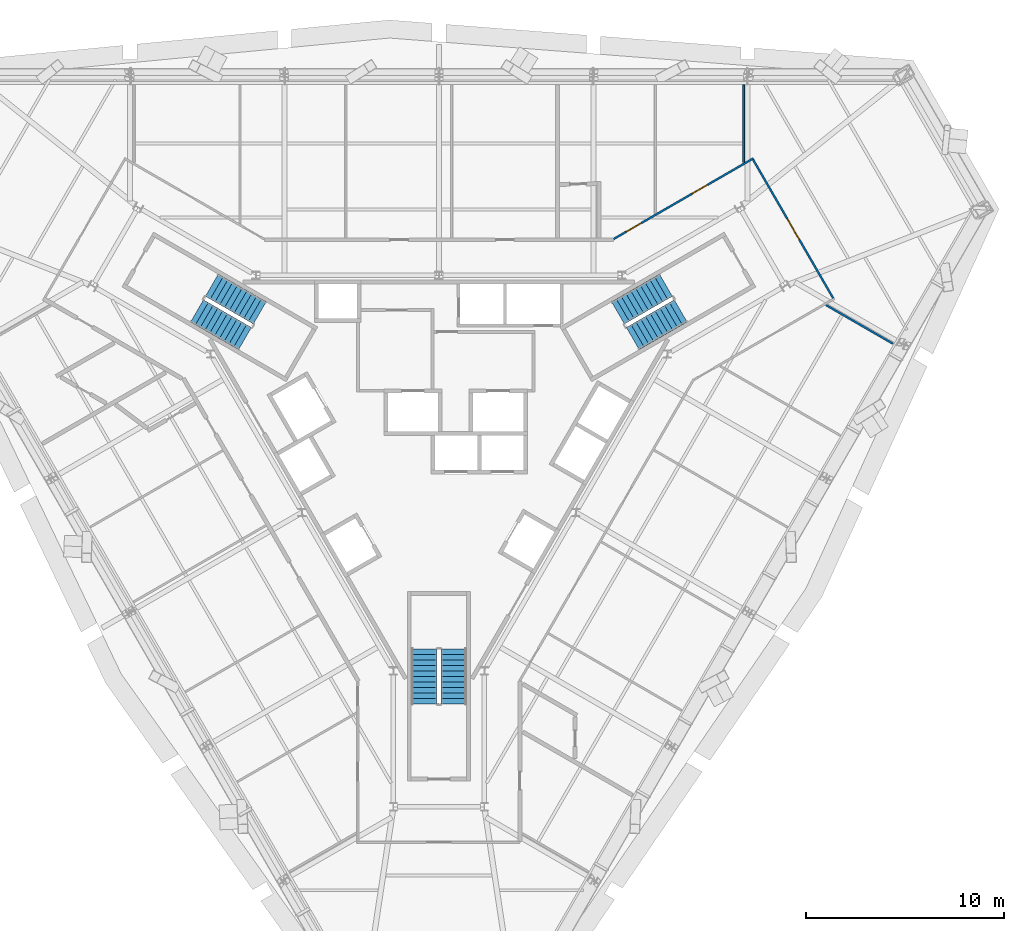
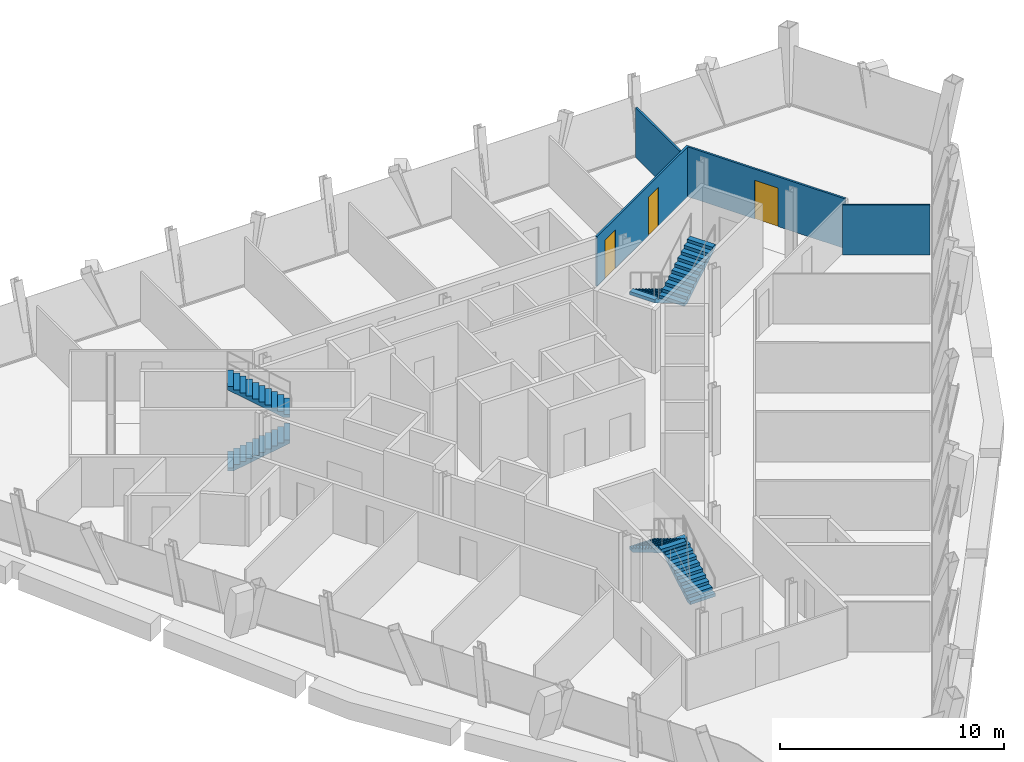
# One storey, part 10 of 12: 6 stair flights, 4 walls, 3 doors, 3 openings, 3 elements without a shape of their own.
"""IFC4 building model written with IfcOpenShell, lengths in metres."""

from ifc_helpers import new_model, si_unit, direction, frame, frame_2d, origin, place, context, subcontext, project, spatial, polyline, rectangle, outline, extrude, material, layer, layer_set, type_object, element, fill, aggregate, save


model = new_model("IFC4")

# Units and contexts
model_context = context("Model", 3, precision=1e-05, world=origin(), true_north=direction((0.0, 1.0)))
body_context = subcontext(model_context, "Body", "Model", "MODEL_VIEW")
ifc_project = project(units=[si_unit("LENGTHUNIT", "METRE"), si_unit("AREAUNIT", "SQUARE_METRE"), si_unit("VOLUMEUNIT", "CUBIC_METRE"), si_unit("PLANEANGLEUNIT", "RADIAN"), si_unit("MASSUNIT", "GRAM", prefix="KILO")], contexts=[model_context])

# Site, building, storey
site_placement = place(None, origin())
site = spatial("IfcSite", under=ifc_project, at=site_placement, CompositionType="ELEMENT")
building_placement = place(site_placement, origin())
building = spatial("IfcBuilding", under=site, at=building_placement, Name="Verrane Prism Tower", CompositionType="ELEMENT")
storey_placement = place(building_placement, frame((0.0, 0.0, 185.800048828125)))
storey = spatial("IfcBuildingStorey", under=building, at=storey_placement, Name="L46", CompositionType="ELEMENT", Elevation=185.800048828125)

# Wall, openings, doors
ifc_material_1 = material(Name="Gypsum board partition", Category="other")
ifc_layer = layer(ifc_material_1, 0.10009765625)
ifc_layer_set = layer_set([ifc_layer], Name="PW-100 room partition")
wall_type = type_object("IfcWallType", Name="PW-100 room partition", PredefinedType="PARTITIONING", material=ifc_layer_set)
wall_1_placement = place(storey_placement, frame((8.8515625, 9.842529296875, 0.0), z_axis=(0.0, 0.0, 1.0), x_axis=(0.866088973199, 0.499889878377, 0.0)))
wall_1 = element("IfcWall", 1, at=wall_1_placement, inside=storey, type_object=wall_type, Name="Room partition 034", PredefinedType="PARTITIONING", context=body_context, shape_type="SweptSolid", body=[
    extrude(rectangle(XDim=8.162841796875, YDim=0.10009765625, at=frame_2d((4.08154296875, 0.0))), origin(), (0.0, 0.0, 1.0), 2.712890625),
])
opening_1_placement = place(wall_1_placement, frame((4.5830078125, 0.0, 0.0)))
opening_1 = element("IfcOpeningElement", 2, at=opening_1_placement, cuts=wall_1, Name="Opening D44009", PredefinedType="OPENING", context=body_context, shape_type="SweptSolid", body=[
    extrude(rectangle(XDim=0.89990234375, YDim=2.10009765625, at=frame_2d((0.449951171875, 1.050048828125))), frame((0.0, 0.06005859375, 0.0), z_axis=(0.0, -1.0, 0.0), x_axis=(1.0, 0.0, 0.0)), (0.0, 0.0, 1.0), 0.1201171875),
])
opening_2_placement = place(wall_1_placement, frame((0.715087890625, 0.0, 0.0)))
opening_2 = element("IfcOpeningElement", 3, at=opening_2_placement, cuts=wall_1, Name="Opening D44010", PredefinedType="OPENING", context=body_context, shape_type="SweptSolid", body=[
    extrude(rectangle(XDim=0.89990234375, YDim=2.10009765625, at=frame_2d((0.449951171875, 1.050048828125))), frame((0.0, 0.06005859375, 0.0), z_axis=(0.0, -1.0, 0.0), x_axis=(1.0, 0.0, 0.0)), (0.0, 0.0, 1.0), 0.1201171875),
])
ifc_material_2 = material(Name="Timber veneered door leaf", Category="wood")
door_type_1 = type_object("IfcDoorType", Name="DR-900x2100 single leaf inner", OperationType="NOTDEFINED", PredefinedType="DOOR", material=ifc_material_2)
door_1_placement = place(opening_2_placement, origin())
door_1 = element("IfcDoor", 4, at=door_1_placement, inside=storey, type_object=door_type_1, Name="Bedroom door", OperationType="SINGLE_SWING_RIGHT", OverallHeight=2.10009765625, OverallWidth=0.89990234375, PredefinedType="DOOR", context=body_context, shape_type="SweptSolid", body=[
    extrude(rectangle(XDim=0.89990234375, YDim=2.10009765625, at=frame_2d((0.449951171875, 1.050048828125))), frame((0.0, 0.02490234375, 0.0), z_axis=(0.0, -1.0, 0.0), x_axis=(1.0, 0.0, 0.0)), (0.0, 0.0, 1.0), 0.050048828125),
])
fill(opening_2, door_1)
ifc_material_3 = material(Name="Timber veneered door leaf", Category="wood")
door_type_2 = type_object("IfcDoorType", Name="DR-900x2100 single leaf unit", OperationType="NOTDEFINED", PredefinedType="DOOR", material=ifc_material_3)
door_2_placement = place(opening_1_placement, origin())
door_2 = element("IfcDoor", 5, at=door_2_placement, inside=storey, type_object=door_type_2, Name="Kitchen door", OperationType="SINGLE_SWING_LEFT", OverallHeight=2.10009765625, OverallWidth=0.89990234375, PredefinedType="DOOR", context=body_context, shape_type="SweptSolid", body=[
    extrude(rectangle(XDim=0.89990234375, YDim=2.10009765625, at=frame_2d((0.449951171875, 1.050048828125))), frame((0.0, 0.02490234375, 0.0), z_axis=(0.0, -1.0, 0.0), x_axis=(1.0, 0.0, 0.0)), (0.0, 0.0, 1.0), 0.050048828125),
])
fill(opening_1, door_2)

# Wall
wall_2_placement = place(storey_placement, frame((15.422119140625, 13.7216796875, 0.0), z_axis=(0.0, 0.0, 1.0), x_axis=(0.0, 1.0, 0.0)))
element("IfcWall", 6, at=wall_2_placement, inside=storey, type_object=wall_type, Name="Room partition 039", PredefinedType="PARTITIONING", context=body_context, shape_type="SweptSolid", body=[
    extrude(rectangle(XDim=3.913330078125, YDim=0.10009765625, at=frame_2d((1.95654296875, 0.0))), origin(), (0.0, 0.0, 1.0), 2.712890625),
])

# Wall, opening, door
wall_3_placement = place(storey_placement, frame((15.903076171875, 13.854736328125, 0.0), z_axis=(0.0, 0.0, 1.0), x_axis=(0.500415732313, -0.865785247537, 0.0)))
wall_3 = element("IfcWall", 7, at=wall_3_placement, inside=storey, type_object=wall_type, Name="Room partition 040", PredefinedType="PARTITIONING", context=body_context, shape_type="SweptSolid", body=[
    extrude(rectangle(XDim=8.09716796875, YDim=0.10009765625, at=frame_2d((4.048583984375, 0.0))), origin(), (0.0, 0.0, 1.0), 2.712890625),
])
opening_3_placement = place(wall_3_placement, frame((3.449951171875, 0.0, 0.0)))
opening_3 = element("IfcOpeningElement", 8, at=opening_3_placement, cuts=wall_3, Name="Opening D44008", PredefinedType="OPENING", context=body_context, shape_type="SweptSolid", body=[
    extrude(rectangle(XDim=1.199951171875, YDim=2.10009765625, at=frame_2d((0.60009765625, 1.050048828125))), frame((0.0, 0.06005859375, 0.0), z_axis=(0.0, -1.0, 0.0), x_axis=(1.0, 0.0, 0.0)), (0.0, 0.0, 1.0), 0.1201171875),
])
ifc_material_4 = material(Name="Timber veneered door leaf", Category="wood")
door_type_3 = type_object("IfcDoorType", Name="DR-1200x2100 single leaf unit", OperationType="NOTDEFINED", PredefinedType="DOOR", material=ifc_material_4)
door_3_placement = place(opening_3_placement, origin())
door_3 = element("IfcDoor", 9, at=door_3_placement, inside=storey, type_object=door_type_3, Name="Living And Dining Room door", OperationType="SINGLE_SWING_RIGHT", OverallHeight=2.10009765625, OverallWidth=1.199951171875, PredefinedType="DOOR", context=body_context, shape_type="SweptSolid", body=[
    extrude(rectangle(XDim=1.199951171875, YDim=2.10009765625, at=frame_2d((0.60009765625, 1.050048828125))), frame((0.0, 0.02490234375, 0.0), z_axis=(0.0, -1.0, 0.0), x_axis=(1.0, 0.0, 0.0)), (0.0, 0.0, 1.0), 0.050048828125),
])
fill(opening_3, door_3)

# Wall
wall_4_placement = place(storey_placement, frame((19.595947265625, 6.49365234375, 0.0), z_axis=(0.0, 0.0, 1.0), x_axis=(0.865998449813, -0.500046682742, 0.0)))
element("IfcWall", 10, at=wall_4_placement, inside=storey, type_object=wall_type, Name="Room partition 041", PredefinedType="PARTITIONING", context=body_context, shape_type="SweptSolid", body=[
    extrude(rectangle(XDim=3.910888671875, YDim=0.10009765625, at=frame_2d((1.95556640625, 0.0))), origin(), (0.0, 0.0, 1.0), 2.712890625),
])

# Stair, stair flights
ifc_material_5 = material(Name="Concrete C40/50", Category="concrete")
stair_type = type_object("IfcStairType", Name="Exit stair 1300 dog-leg precast concrete C40/50", PredefinedType="HALF_TURN_STAIR", material=ifc_material_5)
stair_1_placement = place(storey_placement, origin())
stair_1 = element("IfcStair", 11, at=stair_1_placement, inside=storey, type_object=stair_type, Name="Stair 1 L46", PredefinedType="HALF_TURN_STAIR")
ifc_material_6 = material(Name="Concrete C40/50", Category="concrete")
stair_flight_type = type_object("IfcStairFlightType", Name="Stair flight 1300 precast concrete C40/50", PredefinedType="STRAIGHT", material=ifc_material_6)
stair_flight_1_placement = place(storey_placement, frame((11.489501953125, 7.49951171875, 0.0), z_axis=(0.0, 0.0, 1.0), x_axis=(-0.866025403784, -0.5, 0.0)))
stair_flight_1 = element("IfcStairFlight", 12, at=stair_flight_1_placement, type_object=stair_flight_type, Name="Stair 1 flight 1", NumberOfRisers=11, NumberOfTreads=10, PredefinedType="STRAIGHT", RiserHeight=0.168181818, TreadLength=0.28, context=body_context, shape_type="SweptSolid", body=[
    extrude(outline(polyline([(0.0, 0.0), (0.0, 0.168212890625), (0.280029296875, 0.168212890625), (0.280029296875, 0.33642578125), (0.56005859375, 0.33642578125), (0.56005859375, 0.504638671875), (0.840087890625, 0.504638671875), (0.840087890625, 0.672607421875), (1.1201171875, 0.672607421875), (1.1201171875, 0.8408203125), (1.39990234375, 0.8408203125), (1.39990234375, 1.009033203125), (1.679931640625, 1.009033203125), (1.679931640625, 1.17724609375), (1.9599609375, 1.17724609375), (1.9599609375, 1.345458984375), (2.239990234375, 1.345458984375), (2.239990234375, 1.513671875), (2.52001953125, 1.513671875), (2.52001953125, 1.681884765625), (2.800048828125, 1.681884765625), (2.800048828125, 1.85009765625), (2.800048828125, 1.5068359375), (0.291015625, 0.0), (0.0, 0.0)])), frame((0.0, 0.64990234375, 0.0), z_axis=(0.0, -1.0, 0.0), x_axis=(1.0, 0.0, 0.0)), (0.0, 0.0, 1.0), 1.300048828125),
])
stair_flight_2_placement = place(storey_placement, frame((9.814697265625, 4.800537109375, 1.849853515625), z_axis=(0.0, 0.0, 1.0), x_axis=(0.866025403784, 0.5, 0.0)))
stair_flight_2 = element("IfcStairFlight", 13, at=stair_flight_2_placement, type_object=stair_flight_type, Name="Stair 1 flight 2", NumberOfRisers=11, NumberOfTreads=10, PredefinedType="STRAIGHT", RiserHeight=0.168181818, TreadLength=0.28, context=body_context, shape_type="SweptSolid", body=[
    extrude(outline(polyline([(0.0, 0.0), (0.0, 0.168212890625), (0.280029296875, 0.168212890625), (0.280029296875, 0.33642578125), (0.56005859375, 0.33642578125), (0.56005859375, 0.504638671875), (0.840087890625, 0.504638671875), (0.840087890625, 0.672607421875), (1.1201171875, 0.672607421875), (1.1201171875, 0.8408203125), (1.39990234375, 0.8408203125), (1.39990234375, 1.009033203125), (1.679931640625, 1.009033203125), (1.679931640625, 1.17724609375), (1.9599609375, 1.17724609375), (1.9599609375, 1.345458984375), (2.239990234375, 1.345458984375), (2.239990234375, 1.513671875), (2.52001953125, 1.513671875), (2.52001953125, 1.681884765625), (2.800048828125, 1.681884765625), (2.800048828125, 1.85009765625), (2.800048828125, 1.5068359375), (0.291015625, 0.0), (0.0, 0.0)])), frame((0.0, 0.64990234375, 0.0), z_axis=(0.0, -1.0, 0.0), x_axis=(1.0, 0.0, 0.0)), (0.0, 0.0, 1.0), 1.300048828125),
])
aggregate(stair_1, [stair_flight_1, stair_flight_2])

stair_2_placement = place(storey_placement, origin())
stair_2 = element("IfcStair", 14, at=stair_2_placement, inside=storey, type_object=stair_type, Name="Stair 2 L46", PredefinedType="HALF_TURN_STAIR")
stair_flight_3_placement = place(storey_placement, frame((-12.239501953125, 6.200439453125, 0.0), z_axis=(0.0, 0.0, 1.0), x_axis=(0.866025403784, -0.5, 0.0)))
stair_flight_3 = element("IfcStairFlight", 15, at=stair_flight_3_placement, type_object=stair_flight_type, Name="Stair 2 flight 1", NumberOfRisers=11, NumberOfTreads=10, PredefinedType="STRAIGHT", RiserHeight=0.168181818, TreadLength=0.28, context=body_context, shape_type="SweptSolid", body=[
    extrude(outline(polyline([(0.0, 0.0), (0.0, 0.168212890625), (0.280029296875, 0.168212890625), (0.280029296875, 0.33642578125), (0.56005859375, 0.33642578125), (0.56005859375, 0.504638671875), (0.840087890625, 0.504638671875), (0.840087890625, 0.672607421875), (1.1201171875, 0.672607421875), (1.1201171875, 0.8408203125), (1.39990234375, 0.8408203125), (1.39990234375, 1.009033203125), (1.679931640625, 1.009033203125), (1.679931640625, 1.17724609375), (1.9599609375, 1.17724609375), (1.9599609375, 1.345458984375), (2.239990234375, 1.345458984375), (2.239990234375, 1.513671875), (2.52001953125, 1.513671875), (2.52001953125, 1.681884765625), (2.800048828125, 1.681884765625), (2.800048828125, 1.85009765625), (2.800048828125, 1.5068359375), (0.291015625, 0.0), (0.0, 0.0)])), frame((0.0, 0.64990234375, 0.0), z_axis=(0.0, -1.0, 0.0), x_axis=(1.0, 0.0, 0.0)), (0.0, 0.0, 1.0), 1.300048828125),
])
stair_flight_4_placement = place(storey_placement, frame((-9.064697265625, 6.099609375, 1.849853515625), z_axis=(0.0, 0.0, 1.0), x_axis=(-0.866025403784, 0.5, 0.0)))
stair_flight_4 = element("IfcStairFlight", 16, at=stair_flight_4_placement, type_object=stair_flight_type, Name="Stair 2 flight 2", NumberOfRisers=11, NumberOfTreads=10, PredefinedType="STRAIGHT", RiserHeight=0.168181818, TreadLength=0.28, context=body_context, shape_type="SweptSolid", body=[
    extrude(outline(polyline([(0.0, 0.0), (0.0, 0.168212890625), (0.280029296875, 0.168212890625), (0.280029296875, 0.33642578125), (0.56005859375, 0.33642578125), (0.56005859375, 0.504638671875), (0.840087890625, 0.504638671875), (0.840087890625, 0.672607421875), (1.1201171875, 0.672607421875), (1.1201171875, 0.8408203125), (1.39990234375, 0.8408203125), (1.39990234375, 1.009033203125), (1.679931640625, 1.009033203125), (1.679931640625, 1.17724609375), (1.9599609375, 1.17724609375), (1.9599609375, 1.345458984375), (2.239990234375, 1.345458984375), (2.239990234375, 1.513671875), (2.52001953125, 1.513671875), (2.52001953125, 1.681884765625), (2.800048828125, 1.681884765625), (2.800048828125, 1.85009765625), (2.800048828125, 1.5068359375), (0.291015625, 0.0), (0.0, 0.0)])), frame((0.0, 0.64990234375, 0.0), z_axis=(0.0, -1.0, 0.0), x_axis=(1.0, 0.0, 0.0)), (0.0, 0.0, 1.0), 1.300048828125),
])
aggregate(stair_2, [stair_flight_3, stair_flight_4])

stair_3_placement = place(storey_placement, origin())
stair_3 = element("IfcStair", 17, at=stair_3_placement, inside=storey, type_object=stair_type, Name="Stair 3 L46", PredefinedType="HALF_TURN_STAIR")
stair_flight_5_placement = place(storey_placement, frame((0.75, -13.699951171875, 0.0), z_axis=(0.0, 0.0, 1.0), x_axis=(0.0, 1.0, 0.0)))
stair_flight_5 = element("IfcStairFlight", 18, at=stair_flight_5_placement, type_object=stair_flight_type, Name="Stair 3 flight 1", NumberOfRisers=11, NumberOfTreads=10, PredefinedType="STRAIGHT", RiserHeight=0.168181818, TreadLength=0.28, context=body_context, shape_type="SweptSolid", body=[
    extrude(outline(polyline([(0.0, 0.0), (0.0, 0.168212890625), (0.280029296875, 0.168212890625), (0.280029296875, 0.33642578125), (0.56005859375, 0.33642578125), (0.56005859375, 0.504638671875), (0.840087890625, 0.504638671875), (0.840087890625, 0.672607421875), (1.1201171875, 0.672607421875), (1.1201171875, 0.8408203125), (1.39990234375, 0.8408203125), (1.39990234375, 1.009033203125), (1.679931640625, 1.009033203125), (1.679931640625, 1.17724609375), (1.9599609375, 1.17724609375), (1.9599609375, 1.345458984375), (2.239990234375, 1.345458984375), (2.239990234375, 1.513671875), (2.52001953125, 1.513671875), (2.52001953125, 1.681884765625), (2.800048828125, 1.681884765625), (2.800048828125, 1.85009765625), (2.800048828125, 1.5068359375), (0.291015625, 0.0), (0.0, 0.0)])), frame((0.0, 0.64990234375, 0.0), z_axis=(0.0, -1.0, 0.0), x_axis=(1.0, 0.0, 0.0)), (0.0, 0.0, 1.0), 1.300048828125),
])
stair_flight_6_placement = place(storey_placement, frame((-0.75, -10.89990234375, 1.849853515625), z_axis=(0.0, 0.0, 1.0), x_axis=(0.0, -1.0, 0.0)))
stair_flight_6 = element("IfcStairFlight", 19, at=stair_flight_6_placement, type_object=stair_flight_type, Name="Stair 3 flight 2", NumberOfRisers=11, NumberOfTreads=10, PredefinedType="STRAIGHT", RiserHeight=0.168181818, TreadLength=0.28, context=body_context, shape_type="SweptSolid", body=[
    extrude(outline(polyline([(0.0, 0.0), (0.0, 0.168212890625), (0.280029296875, 0.168212890625), (0.280029296875, 0.33642578125), (0.56005859375, 0.33642578125), (0.56005859375, 0.504638671875), (0.840087890625, 0.504638671875), (0.840087890625, 0.672607421875), (1.1201171875, 0.672607421875), (1.1201171875, 0.8408203125), (1.39990234375, 0.8408203125), (1.39990234375, 1.009033203125), (1.679931640625, 1.009033203125), (1.679931640625, 1.17724609375), (1.9599609375, 1.17724609375), (1.9599609375, 1.345458984375), (2.239990234375, 1.345458984375), (2.239990234375, 1.513671875), (2.52001953125, 1.513671875), (2.52001953125, 1.681884765625), (2.800048828125, 1.681884765625), (2.800048828125, 1.85009765625), (2.800048828125, 1.5068359375), (0.291015625, 0.0), (0.0, 0.0)])), frame((0.0, 0.64990234375, 0.0), z_axis=(0.0, -1.0, 0.0), x_axis=(1.0, 0.0, 0.0)), (0.0, 0.0, 1.0), 1.300048828125),
])
aggregate(stair_3, [stair_flight_5, stair_flight_6])

save(model, "model.ifc")
